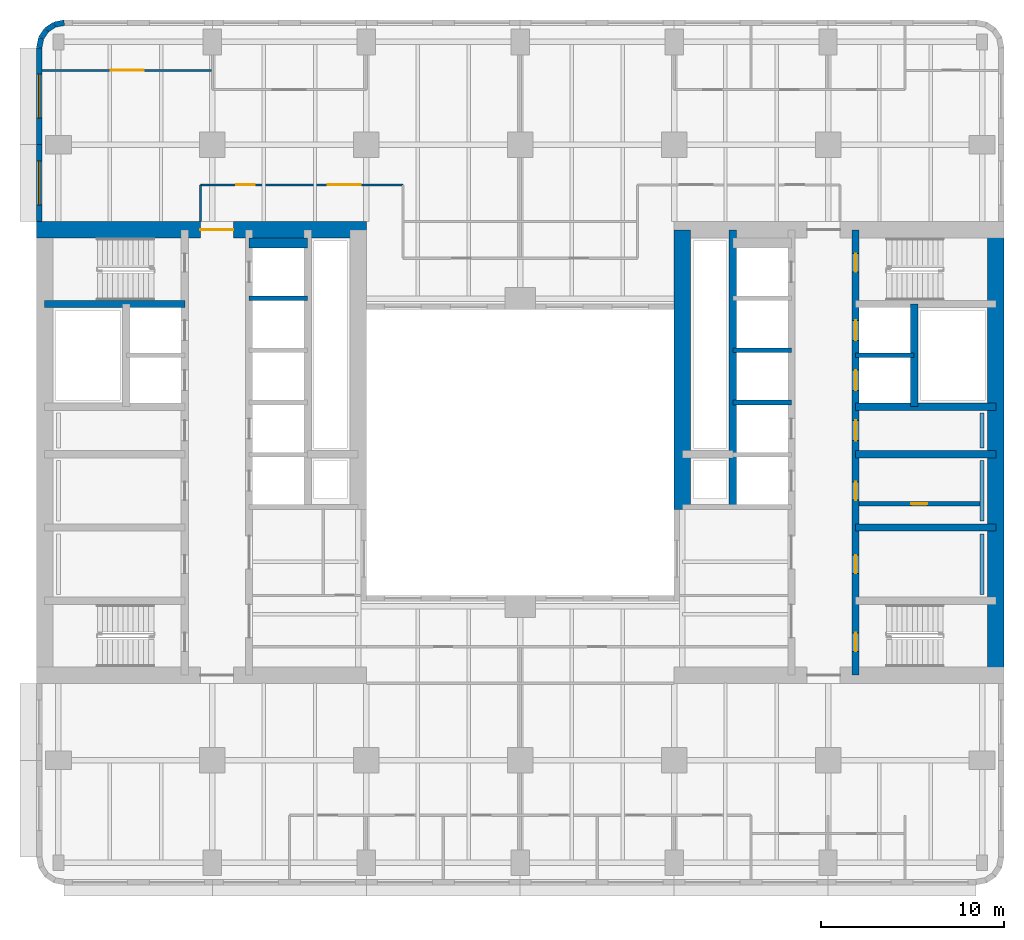
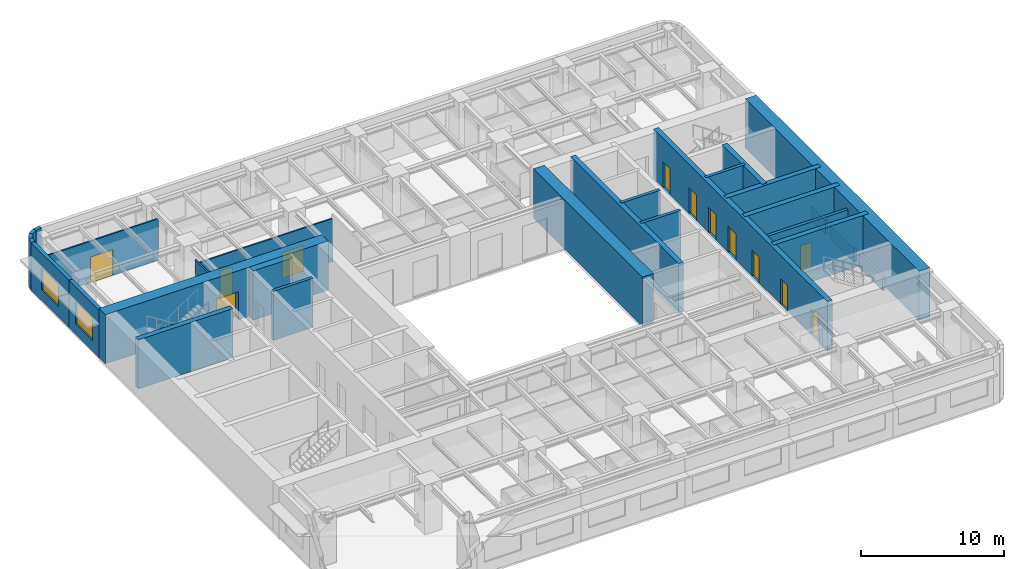
# One storey, part 6 of 11: 28 walls, 12 doors, 2 windows, 14 openings.
"""IFC4 building model written with IfcOpenShell, lengths in metres."""

from ifc_helpers import new_model, si_unit, direction, frame, frame_2d, origin, place, context, subcontext, project, spatial, rectangle, extrude, material, layer, layer_set, type_object, element, fill, save


model = new_model("IFC4")

# Units and contexts
model_context = context("Model", 3, precision=1e-05, world=origin(), true_north=direction((0.0, 1.0)))
body_context = subcontext(model_context, "Body", "Model", "MODEL_VIEW")
ifc_project = project(units=[si_unit("LENGTHUNIT", "METRE"), si_unit("AREAUNIT", "SQUARE_METRE"), si_unit("VOLUMEUNIT", "CUBIC_METRE"), si_unit("PLANEANGLEUNIT", "RADIAN"), si_unit("MASSUNIT", "GRAM", prefix="KILO")], contexts=[model_context])

# Site, building, storey
site_placement = place(None, origin())
site = spatial("IfcSite", under=ifc_project, at=site_placement, CompositionType="ELEMENT")
building_placement = place(site_placement, origin())
building = spatial("IfcBuilding", under=site, at=building_placement, Name="Claustro Exchange Tower", CompositionType="ELEMENT")
storey_placement = place(building_placement, frame((0.0, 0.0, 134.39990234375)))
storey = spatial("IfcBuildingStorey", under=building, at=storey_placement, Name="L30", CompositionType="ELEMENT", Elevation=134.39990234375)

# Wall, opening, door
ifc_material_1 = material(Name="Laminated glass in aluminium frame", Category="aluminium")
ifc_layer_1 = layer(ifc_material_1, 0.1201171875)
ifc_layer_set_1 = layer_set([ifc_layer_1], Name="Laminated glass in aluminium frame")
wall_type_1 = type_object("IfcWallType", Name="P2 120 glazed partition", PredefinedType="PARTITIONING", material=ifc_layer_set_1)
wall_1_placement = place(storey_placement, frame((-0.902099609375, 46.050048828125, 0.0), z_axis=(0.0, 0.0, 1.0), x_axis=(1.0, 0.0, 0.0)))
wall_1 = element("IfcWall", 1, at=wall_1_placement, inside=storey, type_object=wall_type_1, Name="Partition P2 L30", PredefinedType="PARTITIONING", context=body_context, shape_type="SweptSolid", body=[
    extrude(rectangle(XDim=9.244140625, YDim=0.1201171875, at=frame_2d((4.6220703125, 0.0))), origin(), (0.0, 0.0, 1.0), 3.550048828125),
])
opening_1_placement = place(wall_1_placement, frame((3.751953125, 0.0, 0.0)))
opening_1 = element("IfcOpeningElement", 2, at=opening_1_placement, cuts=wall_1, Name="Opening D2", PredefinedType="OPENING", context=body_context, shape_type="SweptSolid", body=[
    extrude(rectangle(XDim=1.800048828125, YDim=2.199951171875, at=frame_2d((0.89990234375, 1.10009765625))), frame((0.0, 0.070068359375, 0.0), z_axis=(0.0, -1.0, 0.0), x_axis=(1.0, 0.0, 0.0)), (0.0, 0.0, 1.0), 0.14013671875),
])
ifc_material_2 = material(Name="Timber door, oak veneer", Category="wood")
door_type_1 = type_object("IfcDoorType", Name="D2 1800 x 2200 double door", OperationType="DOUBLE_DOOR_SINGLE_SWING", PredefinedType="DOOR", material=ifc_material_2)
door_1_placement = place(opening_1_placement, origin())
door_1 = element("IfcDoor", 3, at=door_1_placement, inside=storey, type_object=door_type_1, Name="Double door D2 L30", OperationType="DOUBLE_DOOR_SINGLE_SWING", OverallHeight=2.199951171875, OverallWidth=1.800048828125, PredefinedType="DOOR", context=body_context, shape_type="SweptSolid", body=[
    extrude(rectangle(XDim=1.800048828125, YDim=2.199951171875, at=frame_2d((0.89990234375, 1.10009765625))), frame((0.0, 0.02490234375, 0.0), z_axis=(0.0, -1.0, 0.0), x_axis=(1.0, 0.0, 0.0)), (0.0, 0.0, 1.0), 0.050048828125),
])
fill(opening_1, door_1)

# Wall, openings, doors
wall_2_placement = place(storey_placement, frame((7.75, 39.800048828125, 0.0), z_axis=(0.0, 0.0, 1.0), x_axis=(1.0, 0.0, 0.0)))
wall_2 = element("IfcWall", 4, at=wall_2_placement, inside=storey, type_object=wall_type_1, Name="Partition P2 L30", PredefinedType="PARTITIONING", context=body_context, shape_type="SweptSolid", body=[
    extrude(rectangle(XDim=11.050048828125, YDim=0.1201171875, at=frame_2d((5.52490234375, 0.0))), origin(), (0.0, 0.0, 1.0), 3.690185546875),
])
opening_2_placement = place(wall_2_placement, frame((1.949951171875, 0.0, 0.0)))
opening_2 = element("IfcOpeningElement", 5, at=opening_2_placement, cuts=wall_2, Name="Opening D7", PredefinedType="OPENING", context=body_context, shape_type="SweptSolid", body=[
    extrude(rectangle(XDim=1.0, YDim=2.39990234375, at=frame_2d((0.5, 1.199951171875))), frame((0.0, 0.070068359375, 0.0), z_axis=(0.0, -1.0, 0.0), x_axis=(1.0, 0.0, 0.0)), (0.0, 0.0, 1.0), 0.14013671875),
])
opening_3_placement = place(wall_2_placement, frame((6.949951171875, 0.0, 0.0)))
opening_3 = element("IfcOpeningElement", 6, at=opening_3_placement, cuts=wall_2, Name="Opening D2", PredefinedType="OPENING", context=body_context, shape_type="SweptSolid", body=[
    extrude(rectangle(XDim=1.800048828125, YDim=2.199951171875, at=frame_2d((0.89990234375, 1.10009765625))), frame((0.0, 0.070068359375, 0.0), z_axis=(0.0, -1.0, 0.0), x_axis=(1.0, 0.0, 0.0)), (0.0, 0.0, 1.0), 0.14013671875),
])
door_2_placement = place(opening_3_placement, origin())
door_2 = element("IfcDoor", 7, at=door_2_placement, inside=storey, type_object=door_type_1, Name="Double door D2 L30", OperationType="DOUBLE_DOOR_SINGLE_SWING", OverallHeight=2.199951171875, OverallWidth=1.800048828125, PredefinedType="DOOR", context=body_context, shape_type="SweptSolid", body=[
    extrude(rectangle(XDim=1.800048828125, YDim=2.199951171875, at=frame_2d((0.89990234375, 1.10009765625))), frame((0.0, 0.02490234375, 0.0), z_axis=(0.0, -1.0, 0.0), x_axis=(1.0, 0.0, 0.0)), (0.0, 0.0, 1.0), 0.050048828125),
])
fill(opening_3, door_2)
ifc_material_3 = material(Name="Glass door in aluminium frame", Category="aluminium")
door_type_2 = type_object("IfcDoorType", Name="D7 1000 x 2400 glazed door", OperationType="SINGLE_SWING_LEFT", PredefinedType="DOOR", material=ifc_material_3)
door_3_placement = place(opening_2_placement, origin())
door_3 = element("IfcDoor", 8, at=door_3_placement, inside=storey, type_object=door_type_2, Name="Door D7 L30", OperationType="SINGLE_SWING_LEFT", OverallHeight=2.39990234375, OverallWidth=1.0, PredefinedType="DOOR", context=body_context, shape_type="SweptSolid", body=[
    extrude(rectangle(XDim=1.0, YDim=2.39990234375, at=frame_2d((0.5, 1.199951171875))), frame((0.0, 0.02490234375, 0.0), z_axis=(0.0, -1.0, 0.0), x_axis=(1.0, 0.0, 0.0)), (0.0, 0.0, 1.0), 0.050048828125),
])
fill(opening_2, door_3)

# Wall
wall_3_placement = place(storey_placement, frame((7.75, 37.800048828125, 0.0), z_axis=(0.0, 0.0, 1.0), x_axis=(0.0, 1.0, 0.0)))
element("IfcWall", 9, at=wall_3_placement, inside=storey, type_object=wall_type_1, Name="Partition P2 L30", PredefinedType="PARTITIONING", context=body_context, shape_type="SweptSolid", body=[
    extrude(rectangle(XDim=2.0, YDim=0.1201171875, at=frame_2d((1.0, 0.0))), origin(), (0.0, 0.0, 1.0), 4.050048828125),
])

# Wall, opening, door
ifc_material_4 = material(Name="Concrete blockwork, rendered", Category="masonry")
ifc_layer_2 = layer(ifc_material_4, 0.25)
ifc_layer_set_2 = layer_set([ifc_layer_2], Name="Concrete blockwork, rendered")
wall_type_2 = type_object("IfcWallType", Name="P4 250 blockwork wall", PredefinedType="PARTITIONING", material=ifc_layer_set_2)
wall_4_placement = place(storey_placement, frame((43.699951171875, 22.39990234375, 0.0), z_axis=(0.0, 0.0, 1.0), x_axis=(1.0, 0.0, 0.0)))
wall_4 = element("IfcWall", 10, at=wall_4_placement, inside=storey, type_object=wall_type_2, Name="Partition P4 L30", PredefinedType="PARTITIONING", context=body_context, shape_type="SweptSolid", body=[
    extrude(rectangle(XDim=6.60009765625, YDim=0.25, at=frame_2d((3.300048828125, 0.0))), origin(), (0.0, 0.0, 1.0), 4.0),
])
opening_4_placement = place(wall_4_placement, frame((2.824951171875, 0.0, 0.0)))
opening_4 = element("IfcOpeningElement", 11, at=opening_4_placement, cuts=wall_4, Name="Opening D5", PredefinedType="OPENING", context=body_context, shape_type="SweptSolid", body=[
    extrude(rectangle(XDim=0.89990234375, YDim=2.199951171875, at=frame_2d((0.449951171875, 1.10009765625))), frame((0.0, 0.135009765625, 0.0), z_axis=(0.0, -1.0, 0.0), x_axis=(1.0, 0.0, 0.0)), (0.0, 0.0, 1.0), 0.27001953125),
])
ifc_material_5 = material(Name="Steel door, painted", Category="steel")
door_type_3 = type_object("IfcDoorType", Name="D5 900 x 2200 store door", OperationType="SINGLE_SWING_LEFT", PredefinedType="DOOR", material=ifc_material_5)
door_4_placement = place(opening_4_placement, frame((0.89990234375, 0.0, 0.0), z_axis=(0.0, 0.0, 1.0), x_axis=(-1.0, 0.0, 0.0)))
door_4 = element("IfcDoor", 12, at=door_4_placement, inside=storey, type_object=door_type_3, Name="Store door D5 L30", OperationType="SINGLE_SWING_LEFT", OverallHeight=2.199951171875, OverallWidth=0.89990234375, PredefinedType="DOOR", context=body_context, shape_type="SweptSolid", body=[
    extrude(rectangle(XDim=0.89990234375, YDim=2.199951171875, at=frame_2d((0.449951171875, 1.10009765625))), frame((0.0, 0.02490234375, 0.0), z_axis=(0.0, -1.0, 0.0), x_axis=(1.0, 0.0, 0.0)), (0.0, 0.0, 1.0), 0.050048828125),
])
fill(opening_4, door_4)

# Wall, opening, window
ifc_material_6 = material(Name="Concrete HA-40 (C40/50), precast, white cement, acid-etched", Category="concrete")
ifc_layer_3 = layer(ifc_material_6, 0.300048828125)
ifc_layer_set_3 = layer_set([ifc_layer_3], Name="Concrete HA-40 (C40/50), precast, white cement, acid-etched")
wall_type_3 = type_object("IfcWallType", Name="PC1 300 precast concrete pier panel", PredefinedType="SOLIDWALL", material=ifc_layer_set_3)
wall_5_placement = place(storey_placement, frame((-1.050048828125, 37.800048828125, 0.0), z_axis=(0.0, 0.0, 1.0), x_axis=(0.0, 1.0, 0.0)))
wall_5 = element("IfcWall", 13, at=wall_5_placement, inside=storey, type_object=wall_type_3, Name="Precast pier panel PC1 L30", PredefinedType="SOLIDWALL", context=body_context, shape_type="SweptSolid", body=[
    extrude(rectangle(XDim=4.199951171875, YDim=0.300048828125, at=frame_2d((2.10009765625, 0.0))), origin(), (0.0, 0.0, 1.0), 4.050048828125),
])
opening_5_placement = place(wall_5_placement, frame((0.89990234375, 0.0, 0.89990234375)))
opening_5 = element("IfcOpeningElement", 14, at=opening_5_placement, cuts=wall_5, Name="Opening W2", PredefinedType="OPENING", context=body_context, shape_type="SweptSolid", body=[
    extrude(rectangle(XDim=2.39990234375, YDim=1.89990234375, at=frame_2d((1.199951171875, 0.949951171875))), frame((0.0, 0.159912109375, 0.0), z_axis=(0.0, -1.0, 0.0), x_axis=(1.0, 0.0, 0.0)), (0.0, 0.0, 1.0), 0.320068359375),
])
ifc_material_7 = material(Name="Aluminium frame, clear double glazing", Category="aluminium")
window_type = type_object("IfcWindowType", Name="W2 2400 x 1900 window", PartitioningType="SINGLE_PANEL", PredefinedType="WINDOW", material=ifc_material_7)
window_1_placement = place(opening_5_placement, origin())
window_1 = element("IfcWindow", 15, at=window_1_placement, inside=storey, type_object=window_type, Name="Window W2 L30", OverallHeight=1.89990234375, OverallWidth=2.39990234375, PartitioningType="SINGLE_PANEL", PredefinedType="WINDOW", context=body_context, shape_type="SweptSolid", body=[
    extrude(rectangle(XDim=2.39990234375, YDim=1.89990234375, at=frame_2d((1.199951171875, 0.949951171875))), frame((0.0, 0.030029296875, 0.0), z_axis=(0.0, -1.0, 0.0), x_axis=(1.0, 0.0, 0.0)), (0.0, 0.0, 1.0), 0.06005859375),
])
fill(opening_5, window_1)

wall_6_placement = place(storey_placement, frame((-1.050048828125, 42.0, 0.0), z_axis=(0.0, 0.0, 1.0), x_axis=(0.0, 1.0, 0.0)))
wall_6 = element("IfcWall", 16, at=wall_6_placement, inside=storey, type_object=wall_type_3, Name="Precast pier panel PC1 L30", PredefinedType="SOLIDWALL", context=body_context, shape_type="SweptSolid", body=[
    extrude(rectangle(XDim=5.28515625, YDim=0.300048828125, at=frame_2d((2.642578125, 0.0))), origin(), (0.0, 0.0, 1.0), 4.050048828125),
])
opening_6_placement = place(wall_6_placement, frame((1.442626953125, 0.0, 0.89990234375)))
opening_6 = element("IfcOpeningElement", 17, at=opening_6_placement, cuts=wall_6, Name="Opening W2", PredefinedType="OPENING", context=body_context, shape_type="SweptSolid", body=[
    extrude(rectangle(XDim=2.39990234375, YDim=1.89990234375, at=frame_2d((1.199951171875, 0.949951171875))), frame((0.0, 0.159912109375, 0.0), z_axis=(0.0, -1.0, 0.0), x_axis=(1.0, 0.0, 0.0)), (0.0, 0.0, 1.0), 0.320068359375),
])
window_2_placement = place(opening_6_placement, origin())
window_2 = element("IfcWindow", 18, at=window_2_placement, inside=storey, type_object=window_type, Name="Window W2 L30", OverallHeight=1.89990234375, OverallWidth=2.39990234375, PartitioningType="SINGLE_PANEL", PredefinedType="WINDOW", context=body_context, shape_type="SweptSolid", body=[
    extrude(rectangle(XDim=2.39990234375, YDim=1.89990234375, at=frame_2d((1.199951171875, 0.949951171875))), frame((0.0, 0.030029296875, 0.0), z_axis=(0.0, -1.0, 0.0), x_axis=(1.0, 0.0, 0.0)), (0.0, 0.0, 1.0), 0.06005859375),
])
fill(opening_6, window_2)

# Walls
wall_7_placement = place(storey_placement, frame((-1.050048828125, 47.28515625, 0.0), z_axis=(0.0, 0.0, 1.0), x_axis=(0.195073962632, 0.980788534345, 0.0)))
element("IfcWall", 19, at=wall_7_placement, inside=storey, type_object=wall_type_3, Name="Precast pier panel PC1 L30", PredefinedType="SOLIDWALL", context=body_context, shape_type="SweptSolid", body=[
    extrude(rectangle(XDim=0.540771484375, YDim=0.300048828125, at=frame_2d((0.2705078125, 0.0))), origin(), (0.0, 0.0, 1.0), 4.050048828125),
])
wall_8_placement = place(storey_placement, frame((-0.944580078125, 47.8154296875, 0.0), z_axis=(0.0, 0.0, 1.0), x_axis=(0.55534295404, 0.831621430339, 0.0)))
element("IfcWall", 20, at=wall_8_placement, inside=storey, type_object=wall_type_3, Name="Precast pier panel PC1 L30", PredefinedType="SOLIDWALL", context=body_context, shape_type="SweptSolid", body=[
    extrude(rectangle(XDim=0.52587890625, YDim=0.300048828125, at=frame_2d((0.262939453125, 0.0))), origin(), (0.0, 0.0, 1.0), 4.050048828125),
])
wall_9_placement = place(storey_placement, frame((-0.652587890625, 48.252685546875, 0.0), z_axis=(0.0, 0.0, 1.0), x_axis=(0.831692711774, 0.555236195849, 0.0)))
element("IfcWall", 21, at=wall_9_placement, inside=storey, type_object=wall_type_3, Name="Precast pier panel PC1 L30", PredefinedType="SOLIDWALL", context=body_context, shape_type="SweptSolid", body=[
    extrude(rectangle(XDim=0.525390625, YDim=0.300048828125, at=frame_2d((0.2626953125, 0.0))), origin(), (0.0, 0.0, 1.0), 4.050048828125),
])
wall_10_placement = place(storey_placement, frame((-0.215576171875, 48.54443359375, 0.0), z_axis=(0.0, 0.0, 1.0), x_axis=(0.980788534345, 0.195073962632, 0.0)))
element("IfcWall", 22, at=wall_10_placement, inside=storey, type_object=wall_type_3, Name="Precast pier panel PC1 L30", PredefinedType="SOLIDWALL", context=body_context, shape_type="SweptSolid", body=[
    extrude(rectangle(XDim=0.540771484375, YDim=0.300048828125, at=frame_2d((0.2705078125, 0.0))), origin(), (0.0, 0.0, 1.0), 4.050048828125),
])
ifc_material_8 = material(Name="Gypsum board on steel studs, tiled", Category="steel")
ifc_layer_4 = layer(ifc_material_8, 0.199951171875)
ifc_layer_set_4 = layer_set([ifc_layer_4], Name="Gypsum board on steel studs, tiled")
wall_type_4 = type_object("IfcWallType", Name="PW1 200 WC duct wall", PredefinedType="PLUMBINGWALL", material=ifc_layer_set_4)
for number, where, z_axis, x_axis, name in (
    (23, (50.39990234375, 17.449951171875, 0.0), (0.0, 0.0, 1.0), (0.0, 1.0, 0.0), "WC duct wall PW1 L30"),
    (24, (50.39990234375, 21.449951171875, 0.0), (0.0, 0.0, 1.0), (0.0, 1.0, 0.0), "WC duct wall PW1 L30"),
):
    element("IfcWall", number, at=place(storey_placement, frame(where, z_axis=z_axis, x_axis=x_axis)), inside=storey, type_object=wall_type_4, Name=name, PredefinedType="PLUMBINGWALL", context=body_context, shape_type="SweptSolid", body=[
        extrude(rectangle(XDim=3.300048828125, YDim=0.199951171875, at=frame_2d((1.64990234375, 0.0))), origin(), (0.0, 0.0, 1.0), 1.2001953125),
    ])
wall_11_placement = place(storey_placement, frame((50.39990234375, 25.449951171875, 0.0), z_axis=(0.0, 0.0, 1.0), x_axis=(0.0, 1.0, 0.0)))
element("IfcWall", 25, at=wall_11_placement, inside=storey, type_object=wall_type_4, Name="WC duct wall PW1 L30", PredefinedType="PLUMBINGWALL", context=body_context, shape_type="SweptSolid", body=[
    extrude(rectangle(XDim=1.900146484375, YDim=0.199951171875, at=frame_2d((0.9501953125, 0.0))), origin(), (0.0, 0.0, 1.0), 1.2001953125),
])

# Wall, opening, door
ifc_material_9 = material(Name="Concrete HA-70 (C70/85)", Category="concrete")
ifc_layer_5 = layer(ifc_material_9, 0.89990234375)
ifc_layer_set_5 = layer_set([ifc_layer_5], Name="Concrete HA-70 (C70/85)")
wall_type_5 = type_object("IfcWallType", Name="SW1 900 core shear wall", PredefinedType="SHEAR", material=ifc_layer_set_5)
wall_12_placement = place(storey_placement, frame((-1.199951171875, 37.35009765625, 0.0), z_axis=(0.0, 0.0, 1.0), x_axis=(1.0, 0.0, 0.0)))
wall_12 = element("IfcWall", 26, at=wall_12_placement, inside=storey, type_object=wall_type_5, Name="Core wall SW1 W core N face L30", PredefinedType="SHEAR", context=body_context, shape_type="SweptSolid", body=[
    extrude(rectangle(XDim=18.0, YDim=0.89990234375, at=frame_2d((9.0, 0.0))), origin(), (0.0, 0.0, 1.0), 4.2001953125),
])
opening_7_placement = place(wall_12_placement, frame((8.949951171875, 0.0, 0.0)))
opening_7 = element("IfcOpeningElement", 27, at=opening_7_placement, cuts=wall_12, Name="Opening D3", PredefinedType="OPENING", context=body_context, shape_type="SweptSolid", body=[
    extrude(rectangle(XDim=1.800048828125, YDim=2.39990234375, at=frame_2d((0.89990234375, 1.199951171875))), frame((0.0, 0.4599609375, 0.0), z_axis=(0.0, -1.0, 0.0), x_axis=(1.0, 0.0, 0.0)), (0.0, 0.0, 1.0), 0.919921875),
])
ifc_material_10 = material(Name="Steel fire door, painted", Category="steel")
door_type_4 = type_object("IfcDoorType", Name="D3 1800 x 2400 fire-rated lobby double door", OperationType="DOUBLE_DOOR_SINGLE_SWING", PredefinedType="DOOR", material=ifc_material_10)
door_5_placement = place(opening_7_placement, frame((1.800048828125, 0.0, 0.0), z_axis=(0.0, 0.0, 1.0), x_axis=(-1.0, 0.0, 0.0)))
door_5 = element("IfcDoor", 28, at=door_5_placement, inside=storey, type_object=door_type_4, Name="Lift lobby door D3 L30", OperationType="DOUBLE_DOOR_SINGLE_SWING", OverallHeight=2.39990234375, OverallWidth=1.800048828125, PredefinedType="DOOR", context=body_context, shape_type="SweptSolid", body=[
    extrude(rectangle(XDim=1.800048828125, YDim=2.39990234375, at=frame_2d((0.89990234375, 1.199951171875))), frame((0.0, 0.02490234375, 0.0), z_axis=(0.0, -1.0, 0.0), x_axis=(1.0, 0.0, 0.0)), (0.0, 0.0, 1.0), 0.050048828125),
])
fill(opening_7, door_5)

# Walls
ifc_material_11 = material(Name="Concrete HA-70 (C70/85)", Category="concrete")
ifc_layer_6 = layer(ifc_material_11, 0.89990234375)
ifc_layer_set_6 = layer_set([ifc_layer_6], Name="Concrete HA-70 (C70/85)")
wall_type_6 = type_object("IfcWallType", Name="SW1X 900 exposed core shear wall, board-marked face", PredefinedType="SHEAR", material=ifc_layer_set_6)
wall_13_placement = place(storey_placement, frame((34.050048828125, 22.10009765625, 0.0), z_axis=(0.0, 0.0, 1.0), x_axis=(0.0, 1.0, 0.0)))
element("IfcWall", 29, at=wall_13_placement, inside=storey, type_object=wall_type_6, Name="Core wall SW1X E core W face L30", PredefinedType="SHEAR", context=body_context, shape_type="SweptSolid", body=[
    extrude(rectangle(XDim=15.25, YDim=0.89990234375, at=frame_2d((7.625, 0.0))), origin(), (0.0, 0.0, 1.0), 4.2001953125),
])
wall_14_placement = place(storey_placement, frame((51.14990234375, 13.050048828125, 0.0), z_axis=(0.0, 0.0, 1.0), x_axis=(0.0, 1.0, 0.0)))
element("IfcWall", 30, at=wall_14_placement, inside=storey, type_object=wall_type_6, Name="Core wall SW1X E core E face L30", PredefinedType="SHEAR", context=body_context, shape_type="SweptSolid", body=[
    extrude(rectangle(XDim=24.300048828125, YDim=0.89990234375, at=frame_2d((12.14990234375, 0.0))), origin(), (0.0, 0.0, 1.0), 4.2001953125),
])
ifc_material_12 = material(Name="Concrete HA-50 (C50/60)", Category="concrete")
ifc_layer_7 = layer(ifc_material_12, 0.39990234375)
ifc_layer_set_7 = layer_set([ifc_layer_7], Name="Concrete HA-50 (C50/60)")
wall_type_7 = type_object("IfcWallType", Name="SW4 400 internal core wall", PredefinedType="SHEAR", material=ifc_layer_set_7)
wall_15_placement = place(storey_placement, frame((-0.75, 33.300048828125, 0.0), z_axis=(0.0, 0.0, 1.0), x_axis=(1.0, 0.0, 0.0)))
element("IfcWall", 31, at=wall_15_placement, inside=storey, type_object=wall_type_7, Name="Internal core wall SW4 W core L30", PredefinedType="SHEAR", context=body_context, shape_type="SweptSolid", body=[
    extrude(rectangle(XDim=7.64990234375, YDim=0.39990234375, at=frame_2d((3.824951171875, 0.0))), origin(), (0.0, 0.0, 1.0), 4.2001953125),
])

# Wall, openings, doors
wall_16_placement = place(storey_placement, frame((43.5, 13.050048828125, 0.0), z_axis=(0.0, 0.0, 1.0), x_axis=(0.0, 1.0, 0.0)))
wall_16 = element("IfcWall", 32, at=wall_16_placement, inside=storey, type_object=wall_type_7, Name="Internal core wall SW4 E core L30", PredefinedType="SHEAR", context=body_context, shape_type="SweptSolid", body=[
    extrude(rectangle(XDim=24.300048828125, YDim=0.39990234375, at=frame_2d((12.14990234375, 0.0))), origin(), (0.0, 0.0, 1.0), 4.2001953125),
])
opening_8_placement = place(wall_16_placement, frame((1.300048828125, 0.0, 0.0)))
opening_8 = element("IfcOpeningElement", 33, at=opening_8_placement, cuts=wall_16, Name="Opening D4", PredefinedType="OPENING", context=body_context, shape_type="SweptSolid", body=[
    extrude(rectangle(XDim=1.0, YDim=2.199951171875, at=frame_2d((0.5, 1.10009765625))), frame((0.0, 0.2099609375, 0.0), z_axis=(0.0, -1.0, 0.0), x_axis=(1.0, 0.0, 0.0)), (0.0, 0.0, 1.0), 0.419921875),
])
opening_9_placement = place(wall_16_placement, frame((22.0, 0.0, 0.0)))
opening_9 = element("IfcOpeningElement", 34, at=opening_9_placement, cuts=wall_16, Name="Opening D4", PredefinedType="OPENING", context=body_context, shape_type="SweptSolid", body=[
    extrude(rectangle(XDim=1.0, YDim=2.199951171875, at=frame_2d((0.5, 1.10009765625))), frame((0.0, 0.2099609375, 0.0), z_axis=(0.0, -1.0, 0.0), x_axis=(1.0, 0.0, 0.0)), (0.0, 0.0, 1.0), 0.419921875),
])
opening_10_placement = place(wall_16_placement, frame((5.550048828125, 0.0, 0.0)))
opening_10 = element("IfcOpeningElement", 35, at=opening_10_placement, cuts=wall_16, Name="Opening D1", PredefinedType="OPENING", context=body_context, shape_type="SweptSolid", body=[
    extrude(rectangle(XDim=1.0, YDim=2.199951171875, at=frame_2d((0.5, 1.10009765625))), frame((0.0, 0.2099609375, 0.0), z_axis=(0.0, -1.0, 0.0), x_axis=(1.0, 0.0, 0.0)), (0.0, 0.0, 1.0), 0.419921875),
])
opening_11_placement = place(wall_16_placement, frame((9.550048828125, 0.0, 0.0)))
opening_11 = element("IfcOpeningElement", 36, at=opening_11_placement, cuts=wall_16, Name="Opening D1", PredefinedType="OPENING", context=body_context, shape_type="SweptSolid", body=[
    extrude(rectangle(XDim=1.0, YDim=2.199951171875, at=frame_2d((0.5, 1.10009765625))), frame((0.0, 0.2099609375, 0.0), z_axis=(0.0, -1.0, 0.0), x_axis=(1.0, 0.0, 0.0)), (0.0, 0.0, 1.0), 0.419921875),
])
opening_12_placement = place(wall_16_placement, frame((12.800048828125, 0.0, 0.0)))
opening_12 = element("IfcOpeningElement", 37, at=opening_12_placement, cuts=wall_16, Name="Opening D10", PredefinedType="OPENING", context=body_context, shape_type="SweptSolid", body=[
    extrude(rectangle(XDim=1.10009765625, YDim=2.199951171875, at=frame_2d((0.550048828125, 1.10009765625))), frame((0.0, 0.2099609375, 0.0), z_axis=(0.0, -1.0, 0.0), x_axis=(1.0, 0.0, 0.0)), (0.0, 0.0, 1.0), 0.419921875),
])
opening_13_placement = place(wall_16_placement, frame((15.53759765625, 0.0, 0.0)))
opening_13 = element("IfcOpeningElement", 38, at=opening_13_placement, cuts=wall_16, Name="Opening LD", PredefinedType="OPENING", context=body_context, shape_type="SweptSolid", body=[
    extrude(rectangle(XDim=1.10009765625, YDim=2.199951171875, at=frame_2d((0.550048828125, 1.10009765625))), frame((0.0, 0.2099609375, 0.0), z_axis=(0.0, -1.0, 0.0), x_axis=(1.0, 0.0, 0.0)), (0.0, 0.0, 1.0), 0.419921875),
])
opening_14_placement = place(wall_16_placement, frame((18.262451171875, 0.0, 0.0)))
opening_14 = element("IfcOpeningElement", 39, at=opening_14_placement, cuts=wall_16, Name="Opening LD", PredefinedType="OPENING", context=body_context, shape_type="SweptSolid", body=[
    extrude(rectangle(XDim=1.10009765625, YDim=2.199951171875, at=frame_2d((0.550048828125, 1.10009765625))), frame((0.0, 0.2099609375, 0.0), z_axis=(0.0, -1.0, 0.0), x_axis=(1.0, 0.0, 0.0)), (0.0, 0.0, 1.0), 0.419921875),
])
ifc_material_13 = material(Name="Timber door, oak veneer", Category="wood")
door_type_5 = type_object("IfcDoorType", Name="D1 1000 x 2200 single door", OperationType="SINGLE_SWING_LEFT", PredefinedType="DOOR", material=ifc_material_13)
door_6_placement = place(opening_10_placement, frame((1.0, 0.0, 0.0), z_axis=(0.0, 0.0, 1.0), x_axis=(-1.0, 0.0, 0.0)))
door_6 = element("IfcDoor", 40, at=door_6_placement, inside=storey, type_object=door_type_5, Name="Door D1 L30", OperationType="SINGLE_SWING_LEFT", OverallHeight=2.199951171875, OverallWidth=1.0, PredefinedType="DOOR", context=body_context, shape_type="SweptSolid", body=[
    extrude(rectangle(XDim=1.0, YDim=2.199951171875, at=frame_2d((0.5, 1.10009765625))), frame((0.0, 0.02490234375, 0.0), z_axis=(0.0, -1.0, 0.0), x_axis=(1.0, 0.0, 0.0)), (0.0, 0.0, 1.0), 0.050048828125),
])
fill(opening_10, door_6)
door_7_placement = place(opening_11_placement, frame((1.0, 0.0, 0.0), z_axis=(0.0, 0.0, 1.0), x_axis=(-1.0, 0.0, 0.0)))
door_7 = element("IfcDoor", 41, at=door_7_placement, inside=storey, type_object=door_type_5, Name="Door D1 L30", OperationType="SINGLE_SWING_RIGHT", OverallHeight=2.199951171875, OverallWidth=1.0, PredefinedType="DOOR", context=body_context, shape_type="SweptSolid", body=[
    extrude(rectangle(XDim=1.0, YDim=2.199951171875, at=frame_2d((0.5, 1.10009765625))), frame((0.0, 0.02490234375, 0.0), z_axis=(0.0, -1.0, 0.0), x_axis=(1.0, 0.0, 0.0)), (0.0, 0.0, 1.0), 0.050048828125),
])
fill(opening_11, door_7)
ifc_material_14 = material(Name="Timber door, oak veneer", Category="wood")
door_type_6 = type_object("IfcDoorType", Name="D10 1100 x 2200 accessible WC door", OperationType="SINGLE_SWING_LEFT", PredefinedType="DOOR", material=ifc_material_14)
door_8_placement = place(opening_12_placement, origin())
door_8 = element("IfcDoor", 42, at=door_8_placement, inside=storey, type_object=door_type_6, Name="Accessible WC door D10 L30", OperationType="SINGLE_SWING_RIGHT", OverallHeight=2.199951171875, OverallWidth=1.10009765625, PredefinedType="DOOR", context=body_context, shape_type="SweptSolid", body=[
    extrude(rectangle(XDim=1.10009765625, YDim=2.199951171875, at=frame_2d((0.550048828125, 1.10009765625))), frame((0.0, 0.02490234375, 0.0), z_axis=(0.0, -1.0, 0.0), x_axis=(1.0, 0.0, 0.0)), (0.0, 0.0, 1.0), 0.050048828125),
])
fill(opening_12, door_8)
ifc_material_15 = material(Name="Steel fire door, painted", Category="steel")
door_type_7 = type_object("IfcDoorType", Name="D4 1000 x 2200 fire-rated stair door", OperationType="SINGLE_SWING_LEFT", PredefinedType="DOOR", material=ifc_material_15)
door_9_placement = place(opening_8_placement, frame((1.0, 0.0, 0.0), z_axis=(0.0, 0.0, 1.0), x_axis=(-1.0, 0.0, 0.0)))
door_9 = element("IfcDoor", 43, at=door_9_placement, inside=storey, type_object=door_type_7, Name="Stair door D4 L30", OperationType="SINGLE_SWING_RIGHT", OverallHeight=2.199951171875, OverallWidth=1.0, PredefinedType="DOOR", context=body_context, shape_type="SweptSolid", body=[
    extrude(rectangle(XDim=1.0, YDim=2.199951171875, at=frame_2d((0.5, 1.10009765625))), frame((0.0, 0.02490234375, 0.0), z_axis=(0.0, -1.0, 0.0), x_axis=(1.0, 0.0, 0.0)), (0.0, 0.0, 1.0), 0.050048828125),
])
fill(opening_8, door_9)
door_10_placement = place(opening_9_placement, frame((1.0, 0.0, 0.0), z_axis=(0.0, 0.0, 1.0), x_axis=(-1.0, 0.0, 0.0)))
door_10 = element("IfcDoor", 44, at=door_10_placement, inside=storey, type_object=door_type_7, Name="Stair door D4 L30", OperationType="SINGLE_SWING_LEFT", OverallHeight=2.199951171875, OverallWidth=1.0, PredefinedType="DOOR", context=body_context, shape_type="SweptSolid", body=[
    extrude(rectangle(XDim=1.0, YDim=2.199951171875, at=frame_2d((0.5, 1.10009765625))), frame((0.0, 0.02490234375, 0.0), z_axis=(0.0, -1.0, 0.0), x_axis=(1.0, 0.0, 0.0)), (0.0, 0.0, 1.0), 0.050048828125),
])
fill(opening_9, door_10)
ifc_material_16 = material(Name="Stainless steel sliding door", Category="steel")
door_type_8 = type_object("IfcDoorType", Name="LD 1100 x 2200 lift landing door", OperationType="DOUBLE_DOOR_SLIDING", PredefinedType="DOOR", material=ifc_material_16)
door_11_placement = place(opening_13_placement, origin())
door_11 = element("IfcDoor", 45, at=door_11_placement, inside=storey, type_object=door_type_8, Name="Lift landing door LEE1 LD L30", OperationType="DOUBLE_DOOR_SLIDING", OverallHeight=2.199951171875, OverallWidth=1.10009765625, PredefinedType="DOOR", context=body_context, shape_type="SweptSolid", body=[
    extrude(rectangle(XDim=1.10009765625, YDim=2.199951171875, at=frame_2d((0.550048828125, 1.10009765625))), frame((0.0, 0.02490234375, 0.0), z_axis=(0.0, -1.0, 0.0), x_axis=(1.0, 0.0, 0.0)), (0.0, 0.0, 1.0), 0.050048828125),
])
fill(opening_13, door_11)
door_12_placement = place(opening_14_placement, origin())
door_12 = element("IfcDoor", 46, at=door_12_placement, inside=storey, type_object=door_type_8, Name="Lift landing door LEE2 LD L30", OperationType="DOUBLE_DOOR_SLIDING", OverallHeight=2.199951171875, OverallWidth=1.10009765625, PredefinedType="DOOR", context=body_context, shape_type="SweptSolid", body=[
    extrude(rectangle(XDim=1.10009765625, YDim=2.199951171875, at=frame_2d((0.550048828125, 1.10009765625))), frame((0.0, 0.02490234375, 0.0), z_axis=(0.0, -1.0, 0.0), x_axis=(1.0, 0.0, 0.0)), (0.0, 0.0, 1.0), 0.050048828125),
])
fill(opening_14, door_12)

# Walls
wall_17_placement = place(storey_placement, frame((36.800048828125, 22.22509765625, 0.0), z_axis=(0.0, 0.0, 1.0), x_axis=(0.0, 1.0, 0.0)))
element("IfcWall", 47, at=wall_17_placement, inside=storey, type_object=wall_type_7, Name="Internal core wall SW4 E core L30", PredefinedType="SHEAR", context=body_context, shape_type="SweptSolid", body=[
    extrude(rectangle(XDim=15.125, YDim=0.39990234375, at=frame_2d((7.5625, 0.0))), origin(), (0.0, 0.0, 1.0), 4.2001953125),
])
for number, where, z_axis, x_axis, name in (
    (48, (51.14990234375, 21.10009765625, 0.0), (0.0, 0.0, 1.0), (-1.0, 0.0, 0.0), "Internal core wall SW4 E core L30"),
    (49, (51.14990234375, 25.10009765625, 0.0), (0.0, 0.0, 1.0), (-1.0, 0.0, 0.0), "Internal core wall SW4 E core L30"),
    (50, (51.14990234375, 27.699951171875, 0.0), (0.0, 0.0, 1.0), (-1.0, 0.0, 0.0), "Internal core wall SW4 E core L30"),
):
    element("IfcWall", number, at=place(storey_placement, frame(where, z_axis=z_axis, x_axis=x_axis)), inside=storey, type_object=wall_type_7, Name=name, PredefinedType="SHEAR", context=body_context, shape_type="SweptSolid", body=[
        extrude(rectangle(XDim=7.64990234375, YDim=0.39990234375, at=frame_2d((3.824951171875, 0.0))), origin(), (0.0, 0.0, 1.0), 4.2001953125),
    ])
wall_18_placement = place(storey_placement, frame((46.699951171875, 27.699951171875, 0.0), z_axis=(0.0, 0.0, 1.0), x_axis=(0.0, 1.0, 0.0)))
element("IfcWall", 51, at=wall_18_placement, inside=storey, type_object=wall_type_7, Name="Internal core wall SW4 E core L30", PredefinedType="SHEAR", context=body_context, shape_type="SweptSolid", body=[
    extrude(rectangle(XDim=5.60009765625, YDim=0.39990234375, at=frame_2d((2.800048828125, 0.0))), origin(), (0.0, 0.0, 1.0), 4.2001953125),
])
ifc_material_17 = material(Name="Concrete HA-50 (C50/60)", Category="concrete")
ifc_layer_8 = layer(ifc_material_17, 0.25)
ifc_layer_set_8 = layer_set([ifc_layer_8], Name="Concrete HA-50 (C50/60)")
wall_type_8 = type_object("IfcWallType", Name="SW5 250 lift shaft divider wall", PredefinedType="SHEAR", material=ifc_layer_set_8)
wall_19_placement = place(storey_placement, frame((10.39990234375, 33.625, 0.0), z_axis=(0.0, 0.0, 1.0), x_axis=(1.0, 0.0, 0.0)))
element("IfcWall", 52, at=wall_19_placement, inside=storey, type_object=wall_type_8, Name="Lift shaft wall W core L30", PredefinedType="SHEAR", context=body_context, shape_type="SweptSolid", body=[
    extrude(rectangle(XDim=3.2001953125, YDim=0.25, at=frame_2d((1.60009765625, 0.0))), origin(), (0.0, 0.0, 1.0), 4.2001953125),
])
for number, where, z_axis, x_axis, name in (
    (53, (46.699951171875, 30.5, 0.0), (0.0, 0.0, 1.0), (-1.0, 0.0, 0.0), "Lift shaft wall E core L30"),
    (54, (40.0, 27.925048828125, 0.0), (0.0, 0.0, 1.0), (-1.0, 0.0, 0.0), "Lift shaft wall E core L30"),
    (55, (40.0, 30.77490234375, 0.0), (0.0, 0.0, 1.0), (-1.0, 0.0, 0.0), "Lift shaft wall E core L30"),
):
    element("IfcWall", number, at=place(storey_placement, frame(where, z_axis=z_axis, x_axis=x_axis)), inside=storey, type_object=wall_type_8, Name=name, PredefinedType="SHEAR", context=body_context, shape_type="SweptSolid", body=[
        extrude(rectangle(XDim=3.199951171875, YDim=0.25, at=frame_2d((1.60009765625, 0.0))), origin(), (0.0, 0.0, 1.0), 4.2001953125),
    ])
ifc_material_18 = material(Name="Concrete HA-50 (C50/60)", Category="concrete")
ifc_layer_9 = layer(ifc_material_18, 0.550048828125)
ifc_layer_set_9 = layer_set([ifc_layer_9], Name="Concrete HA-50 (C50/60)")
wall_type_9 = type_object("IfcWallType", Name="SW6 550 lift shaft end wall", PredefinedType="SHEAR", material=ifc_layer_set_9)
wall_20_placement = place(storey_placement, frame((10.39990234375, 36.625, 0.0), z_axis=(0.0, 0.0, 1.0), x_axis=(1.0, 0.0, 0.0)))
element("IfcWall", 56, at=wall_20_placement, inside=storey, type_object=wall_type_9, Name="Lift shaft wall W core L30", PredefinedType="SHEAR", context=body_context, shape_type="SweptSolid", body=[
    extrude(rectangle(XDim=3.2001953125, YDim=0.550048828125, at=frame_2d((1.60009765625, 0.0))), origin(), (0.0, 0.0, 1.0), 4.2001953125),
])

save(model, "model.ifc")
